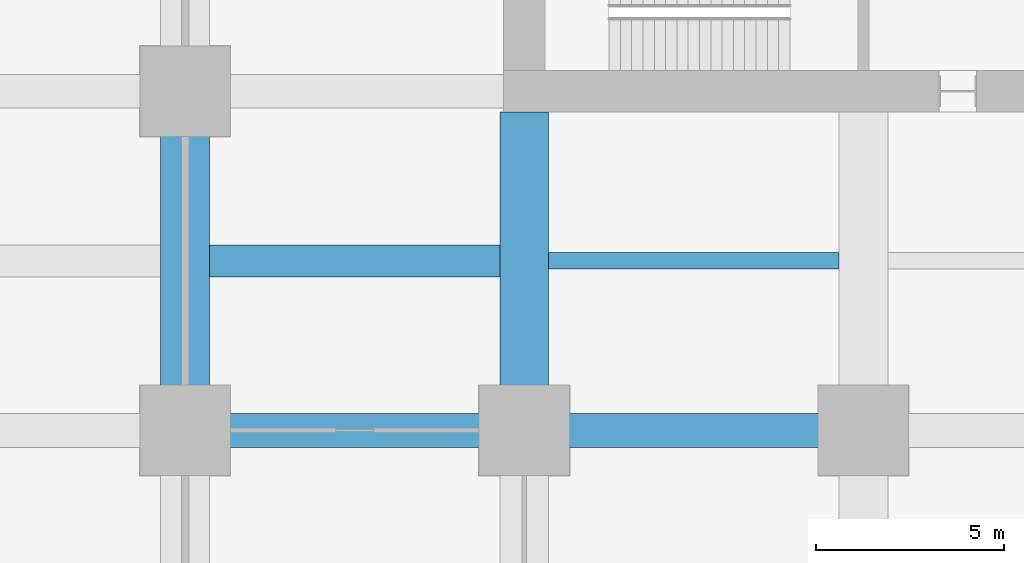
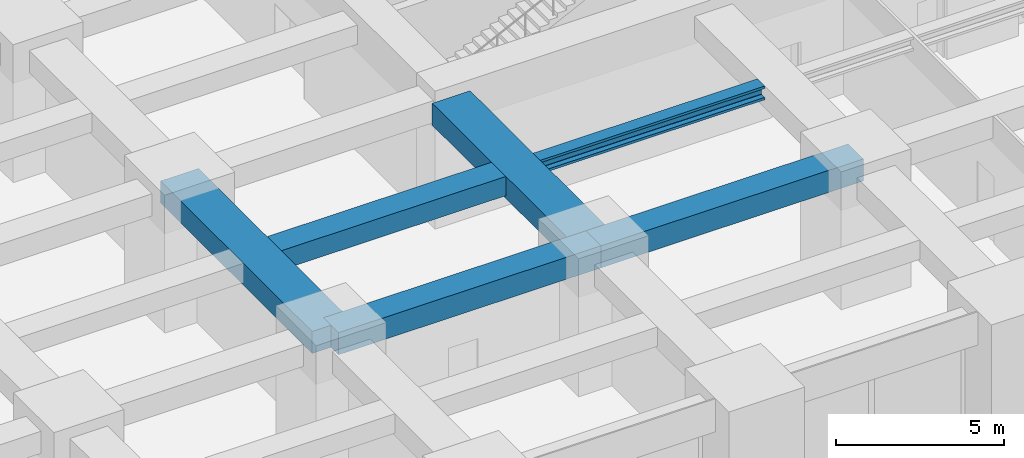
# One storey, part 8 of 46: 6 beams.
"""IFC4 building model written with IfcOpenShell, lengths in metres."""

from ifc_helpers import new_model, si_unit, direction, frame, origin, origin_2d, place, context, subcontext, project, spatial, rectangle, i_section, extrude, material, material_profile, profile_set, type_object, element, save


model = new_model("IFC4")

# Units and contexts
model_context = context("Model", 3, precision=1e-05, world=origin(), true_north=direction((0.0, 1.0)))
body_context = subcontext(model_context, "Body", "Model", "MODEL_VIEW")
ifc_project = project(units=[si_unit("LENGTHUNIT", "METRE"), si_unit("AREAUNIT", "SQUARE_METRE"), si_unit("VOLUMEUNIT", "CUBIC_METRE"), si_unit("PLANEANGLEUNIT", "RADIAN"), si_unit("MASSUNIT", "GRAM", prefix="KILO")], contexts=[model_context])

# Site, building, storey
site_placement = place(None, origin())
site = spatial("IfcSite", under=ifc_project, at=site_placement, CompositionType="ELEMENT")
building_placement = place(site_placement, origin())
building = spatial("IfcBuilding", under=site, at=building_placement, Name="Zorevar Civic Tower", CompositionType="ELEMENT")
storey_placement = place(building_placement, frame((0.0, 0.0, 10.800048828125)))
storey = spatial("IfcBuildingStorey", under=building, at=storey_placement, Name="L02", CompositionType="ELEMENT", Elevation=10.800048828125)

# Beams
ifc_material_1 = material(Name="Concrete C50/60", Category="concrete")
ifc_material_profile_1 = material_profile(ifc_material_1, rectangle(XDim=1.300048828125, YDim=0.800048828125, at=origin_2d()), Name="RC 1300x800")
ifc_profile_set_1 = profile_set([ifc_material_profile_1], Name="Concrete C50/60")
beam_type_1 = type_object("IfcBeamType", Name="Beam RC 1300x800", PredefinedType="BEAM", material=ifc_profile_set_1)
beam_1_placement = place(storey_placement, frame((9.0, 9.0, 4.199951171875), z_axis=(0.0, 1.0, 0.0), x_axis=(-1.0, 0.0, 0.0)))
element("IfcBeam", 1, at=beam_1_placement, inside=storey, type_object=beam_type_1, Name="Girder L03", PredefinedType="BEAM", context=body_context, shape_type="SweptSolid", body=[
    extrude(rectangle(XDim=1.300048828125, YDim=0.800048828125, at=origin_2d()), origin(), (0.0, 0.0, 1.0), 9.0),
])
beam_2_placement = place(storey_placement, frame((18.0, 9.0, 4.199951171875), z_axis=(0.0, 1.0, 0.0), x_axis=(-1.0, 0.0, 0.0)))
element("IfcBeam", 2, at=beam_2_placement, inside=storey, type_object=beam_type_1, Name="Girder L03", PredefinedType="BEAM", context=body_context, shape_type="SweptSolid", body=[
    extrude(rectangle(XDim=1.300048828125, YDim=0.800048828125, at=origin_2d()), origin(), (0.0, 0.0, 1.0), 8.449951171875),
])
ifc_material_2 = material(Name="Concrete C50/60", Category="concrete")
ifc_material_profile_2 = material_profile(ifc_material_2, rectangle(XDim=0.85009765625, YDim=0.699951171875, at=origin_2d()), Name="RC 850x700")
ifc_profile_set_2 = profile_set([ifc_material_profile_2], Name="Concrete C50/60")
beam_type_2 = type_object("IfcBeamType", Name="Beam RC 850x700", PredefinedType="BEAM", material=ifc_profile_set_2)
beam_3_placement = place(storey_placement, frame((9.64990234375, 13.5, 4.25), z_axis=(1.0, 0.0, 0.0), x_axis=(0.0, 1.0, 0.0)))
element("IfcBeam", 3, at=beam_3_placement, inside=storey, type_object=beam_type_2, Name="Secondary beam L03", PredefinedType="BEAM", context=body_context, shape_type="SweptSolid", body=[
    extrude(rectangle(XDim=0.85009765625, YDim=0.699951171875, at=origin_2d()), origin(), (0.0, 0.0, 1.0), 7.7001953125),
])
ifc_material_3 = material(Name="Concrete C50/60", Category="concrete")
ifc_material_profile_3 = material_profile(ifc_material_3, rectangle(XDim=0.89990234375, YDim=0.800048828125, at=origin_2d()), Name="RC 900x800")
ifc_profile_set_3 = profile_set([ifc_material_profile_3], Name="Concrete C50/60")
beam_type_3 = type_object("IfcBeamType", Name="Beam RC 900x800", PredefinedType="BEAM", material=ifc_profile_set_3)
for number, where, z_axis, x_axis, name in (
    (4, (9.0, 9.0, 4.199951171875), (1.0, 0.0, 0.0), (0.0, 1.0, 0.0), "Girder L03"),
    (5, (18.0, 9.0, 4.199951171875), (1.0, 0.0, 0.0), (0.0, 1.0, 0.0), "Girder L03"),
):
    element("IfcBeam", number, at=place(storey_placement, frame(where, z_axis=z_axis, x_axis=x_axis)), inside=storey, type_object=beam_type_3, Name=name, PredefinedType="BEAM", context=body_context, shape_type="SweptSolid", body=[
        extrude(rectangle(XDim=0.89990234375, YDim=0.800048828125, at=origin_2d()), origin(), (0.0, 0.0, 1.0), 9.0),
    ])
ifc_material_4 = material(Name="Steel S460M (HISTAR 460)", Category="steel")
ifc_material_profile_4 = material_profile(ifc_material_4, i_section(OverallWidth=0.431884765625, OverallDepth=0.498046875, WebThickness=0.0556640625, FlangeThickness=0.0888671875, FilletRadius=0.014892578125, at=origin_2d()), Name="HD 400x744")
ifc_profile_set_4 = profile_set([ifc_material_profile_4], Name="Steel S460M (HISTAR 460)")
beam_type_4 = type_object("IfcBeamType", Name="Core bay beam HD 400x744", PredefinedType="BEAM", material=ifc_profile_set_4)
beam_4_placement = place(storey_placement, frame((18.64990234375, 13.5, 4.350830078125), z_axis=(1.0, 0.0, 0.0), x_axis=(0.0, 1.0, 0.0)))
element("IfcBeam", 6, at=beam_4_placement, inside=storey, type_object=beam_type_4, Name="Secondary beam L03", PredefinedType="BEAM", context=body_context, shape_type="SweptSolid", body=[
    extrude(i_section(OverallWidth=0.431884765625, OverallDepth=0.498046875, WebThickness=0.0556640625, FlangeThickness=0.0888671875, FilletRadius=0.014892578125, at=origin_2d()), origin(), (0.0, 0.0, 1.0), 7.7001953125),
])

save(model, "model.ifc")
